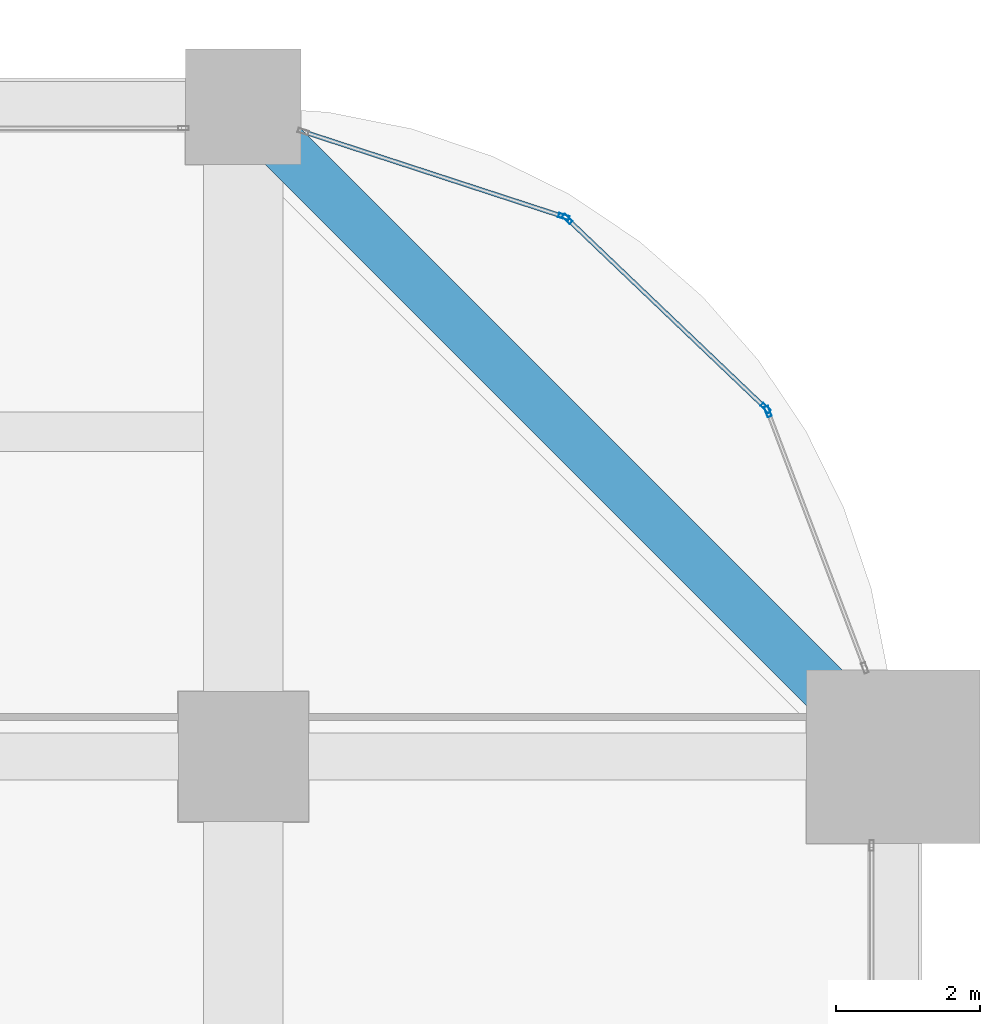
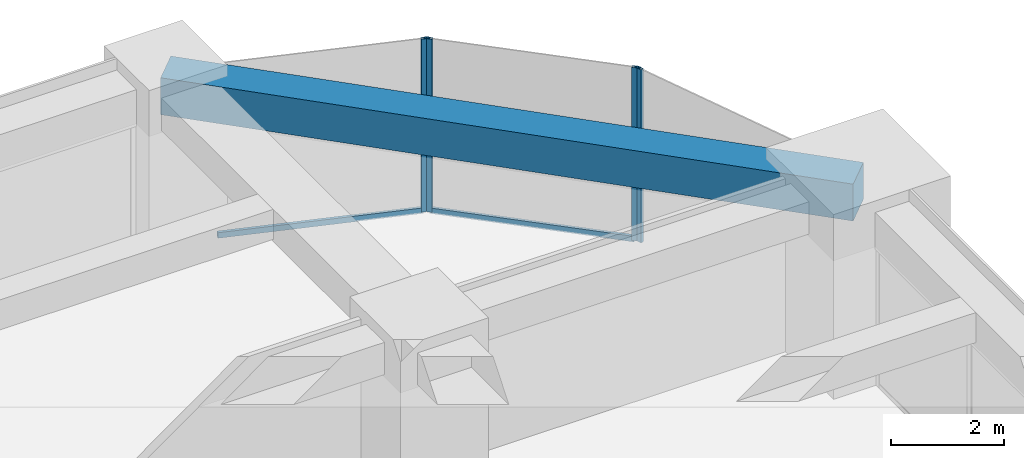
# One storey, part 34 of 39: 6 members, 1 beam, 3 elements without a shape of their own.
"""IFC4 building model written with IfcOpenShell, lengths in metres."""

from ifc_helpers import new_model, si_unit, direction, frame, origin, origin_2d, place, context, subcontext, project, spatial, rectangle, hollow_rectangle, extrude, material, material_profile, profile_set, type_object, element, aggregate, save


model = new_model("IFC4")

# Units and contexts
model_context = context("Model", 3, precision=1e-05, world=origin(), true_north=direction((0.0, 1.0)))
body_context = subcontext(model_context, "Body", "Model", "MODEL_VIEW")
ifc_project = project(units=[si_unit("LENGTHUNIT", "METRE"), si_unit("AREAUNIT", "SQUARE_METRE"), si_unit("VOLUMEUNIT", "CUBIC_METRE"), si_unit("PLANEANGLEUNIT", "RADIAN"), si_unit("MASSUNIT", "GRAM", prefix="KILO")], contexts=[model_context])

# Site, building, storey
site_placement = place(None, origin())
site = spatial("IfcSite", under=ifc_project, at=site_placement, CompositionType="ELEMENT")
building_placement = place(site_placement, origin())
building = spatial("IfcBuilding", under=site, at=building_placement, Name="Zorevar Civic Tower", CompositionType="ELEMENT")
storey_placement = place(building_placement, frame((0.0, 0.0, 125.0)))
storey = spatial("IfcBuildingStorey", under=building, at=storey_placement, Name="L30", CompositionType="ELEMENT", Elevation=125.0)

# Curtain wall, member
ifc_material_1 = material(Name="Dark grey solar-control glass in black aluminium frame", Category="aluminium")
curtain_wall_type = type_object("IfcCurtainWallType", Name="Curtain wall CW3 mid zone", PredefinedType="NOTDEFINED", material=ifc_material_1)
curtain_wall_1_placement = place(storey_placement, origin())
curtain_wall_1 = element("IfcCurtainWall", 1, at=curtain_wall_1_placement, inside=storey, type_object=curtain_wall_type, Name="CW3 L30", PredefinedType="NOTDEFINED")
ifc_material_2 = material(Name="Aluminium, black anodised", Category="aluminium")
ifc_material_profile_1 = material_profile(ifc_material_2, hollow_rectangle(XDim=0.06005859375, YDim=0.14990234375, WallThickness=0.00390625, at=origin_2d()), Name="AL 150x60x4")
ifc_profile_set_1 = profile_set([ifc_material_profile_1], Name="Aluminium, black anodised")
member_type_1 = type_object("IfcMemberType", Name="CW3 mullion AL 150x60x4", PredefinedType="MULLION", material=ifc_profile_set_1)
member_1_placement = place(storey_placement, frame((61.26318359375, 40.777099609375, 0.0), z_axis=(0.0, 0.0, 1.0), x_axis=(-0.935276561184, -0.353917722218, 0.0)))
member_1 = element("IfcMember", 2, at=member_1_placement, type_object=member_type_1, Name="CW3 mullion 2", PredefinedType="MULLION", context=body_context, shape_type="SweptSolid", body=[
    extrude(hollow_rectangle(XDim=0.06005859375, YDim=0.14990234375, WallThickness=0.00390625, at=origin_2d()), origin(), (0.0, 0.0, 1.0), 3.75),
])
aggregate(curtain_wall_1, [member_1])

# Curtain wall, members
curtain_wall_2_placement = place(storey_placement, origin())
curtain_wall_2 = element("IfcCurtainWall", 3, at=curtain_wall_2_placement, inside=storey, type_object=curtain_wall_type, Name="CW3 L30", PredefinedType="NOTDEFINED")
member_2_placement = place(storey_placement, frame((61.23095703125, 40.825927734375, 0.0), z_axis=(0.0, 0.0, 1.0), x_axis=(-0.690545329292, -0.723289117983, 0.0)))
member_2 = element("IfcMember", 4, at=member_2_placement, type_object=member_type_1, Name="CW3 mullion 1", PredefinedType="MULLION", context=body_context, shape_type="SweptSolid", body=[
    extrude(hollow_rectangle(XDim=0.06005859375, YDim=0.14990234375, WallThickness=0.00390625, at=origin_2d()), origin(), (0.0, 0.0, 1.0), 3.75),
])
member_3_placement = place(storey_placement, frame((58.486083984375, 43.4462890625, 0.0), z_axis=(0.0, 0.0, 1.0), x_axis=(-0.690545329292, -0.723289117983, 0.0)))
member_3 = element("IfcMember", 5, at=member_3_placement, type_object=member_type_1, Name="CW3 mullion 2", PredefinedType="MULLION", context=body_context, shape_type="SweptSolid", body=[
    extrude(hollow_rectangle(XDim=0.06005859375, YDim=0.14990234375, WallThickness=0.00390625, at=origin_2d()), origin(), (0.0, 0.0, 1.0), 3.75),
])

# Curtain wall, member
curtain_wall_3_placement = place(storey_placement, origin())
curtain_wall_3 = element("IfcCurtainWall", 6, at=curtain_wall_3_placement, inside=storey, type_object=curtain_wall_type, Name="CW3 L30", PredefinedType="NOTDEFINED")
member_4_placement = place(storey_placement, frame((58.43603515625, 43.476318359375, 0.0), z_axis=(0.0, 0.0, 1.0), x_axis=(-0.310263169163, -0.950650706548, 0.0)))
member_4 = element("IfcMember", 7, at=member_4_placement, type_object=member_type_1, Name="CW3 mullion 1", PredefinedType="MULLION", context=body_context, shape_type="SweptSolid", body=[
    extrude(hollow_rectangle(XDim=0.06005859375, YDim=0.14990234375, WallThickness=0.00390625, at=origin_2d()), origin(), (0.0, 0.0, 1.0), 3.75),
])

# Member
ifc_material_3 = material(Name="Aluminium, black anodised", Category="aluminium")
ifc_material_profile_2 = material_profile(ifc_material_3, hollow_rectangle(XDim=0.06005859375, YDim=0.1201171875, WallThickness=0.0029296875, at=origin_2d()), Name="AL 120x60x3")
ifc_profile_set_2 = profile_set([ifc_material_profile_2], Name="Aluminium, black anodised")
member_type_2 = type_object("IfcMemberType", Name="CW3 transom AL 120x60x3", PredefinedType="USERDEFINED", material=ifc_profile_set_2)
member_5_placement = place(storey_placement, frame((61.209228515625, 40.8466796875, 0.030029296875), z_axis=(-0.723324377588, 0.690508395884, 0.0), x_axis=(-0.690508395884, -0.723324377588, 0.0)))
member_5 = element("IfcMember", 8, at=member_5_placement, type_object=member_type_2, Name="CW3 sill transom", ObjectType="TRANSOM", PredefinedType="USERDEFINED", context=body_context, shape_type="SweptSolid", body=[
    extrude(hollow_rectangle(XDim=0.06005859375, YDim=0.1201171875, WallThickness=0.0029296875, at=origin_2d()), origin(), (0.0, 0.0, 1.0), 3.734619140625),
])

aggregate(curtain_wall_2, [member_2, member_3, member_5])

member_6_placement = place(storey_placement, frame((58.407470703125, 43.485595703125, 0.030029296875), z_axis=(-0.950638909659, 0.310299312669, 0.0), x_axis=(-0.310299312669, -0.950638909659, 0.0)))
member_6 = element("IfcMember", 9, at=member_6_placement, type_object=member_type_2, Name="CW3 sill transom", ObjectType="TRANSOM", PredefinedType="USERDEFINED", context=body_context, shape_type="SweptSolid", body=[
    extrude(hollow_rectangle(XDim=0.06005859375, YDim=0.1201171875, WallThickness=0.0029296875, at=origin_2d()), origin(), (0.0, 0.0, 1.0), 3.73486328125),
])

aggregate(curtain_wall_3, [member_4, member_6])

# Beam
ifc_material_4 = material(Name="Concrete C50/60", Category="concrete")
ifc_material_profile_3 = material_profile(ifc_material_4, rectangle(XDim=0.699951171875, YDim=0.800048828125, at=origin_2d()), Name="RC 700x800")
ifc_profile_set_3 = profile_set([ifc_material_profile_3], Name="Concrete C50/60")
beam_type = type_object("IfcBeamType", Name="Edge beam RC 700x800", PredefinedType="SPANDREL", material=ifc_profile_set_3)
beam_placement = place(storey_placement, frame((63.0, 36.0, 3.35009765625), z_axis=(-0.707106781187, 0.707106781187, 0.0), x_axis=(-0.707106781187, -0.707106781187, 0.0)))
element("IfcBeam", 10, at=beam_placement, inside=storey, type_object=beam_type, Name="Corner edge beam L31", PredefinedType="SPANDREL", context=body_context, shape_type="SweptSolid", body=[
    extrude(rectangle(XDim=0.699951171875, YDim=0.800048828125, at=origin_2d()), origin(), (0.0, 0.0, 1.0), 12.72802734375),
])

save(model, "model.ifc")
